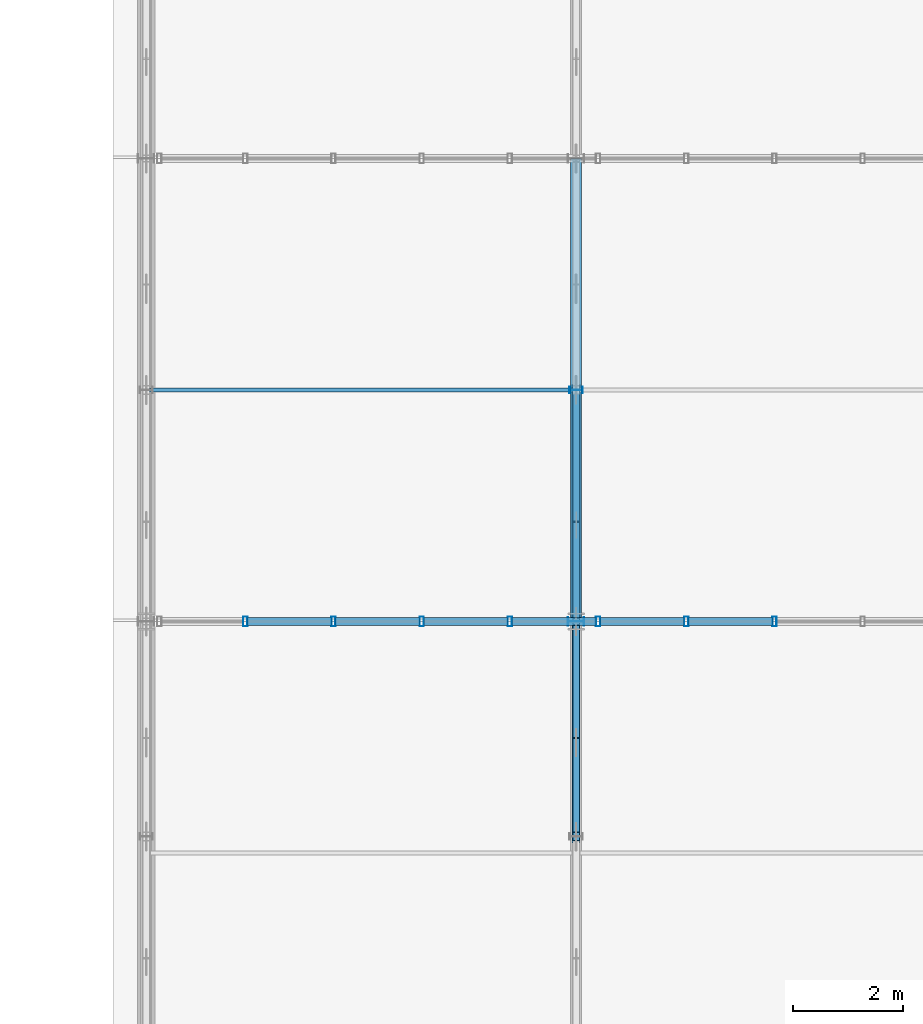
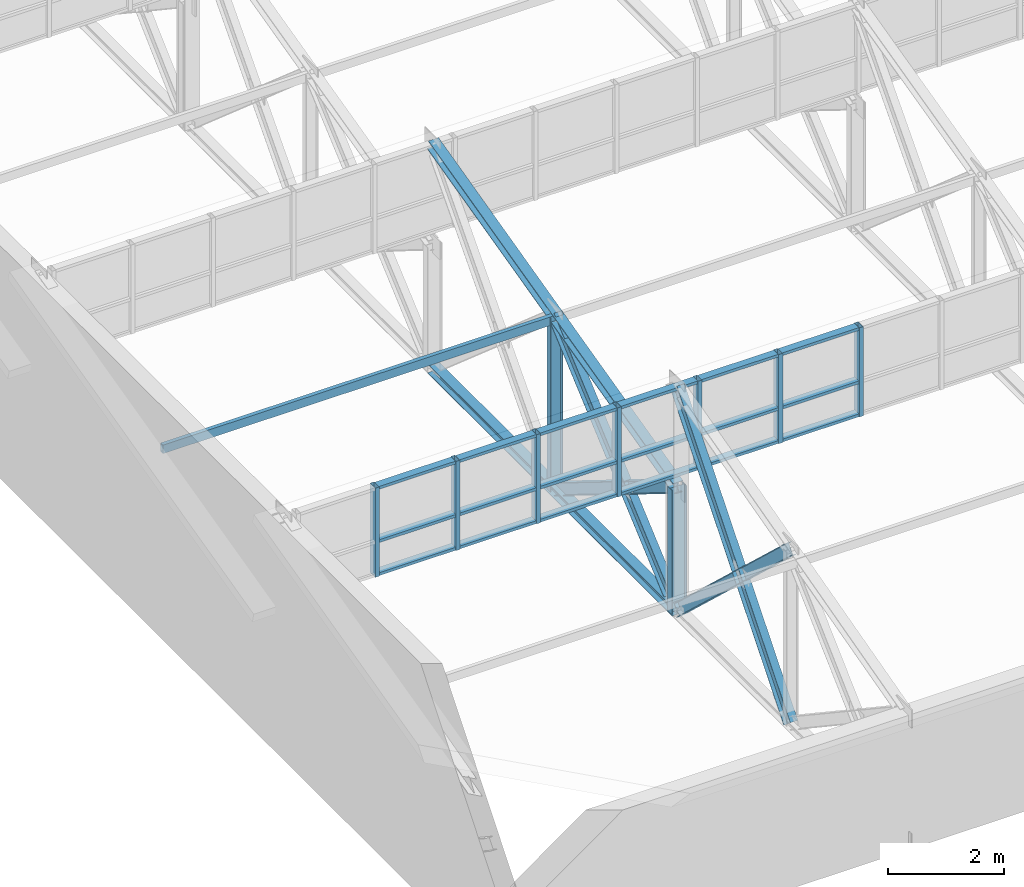
# One storey, part 68 of 123: 36 members, 1 element without a shape of its own.
"""IFC4 building model written with IfcOpenShell, lengths in metres."""

import ifcopenshell
import ifcopenshell.guid

model = None  # the IFC model being written
_history = None  # IfcOwnerHistory: only IFC2X3 demands one
_inside = {}  # id of a spatial element -> (the spatial element, [elements in it])
_under = {}  # id of a project, library or spatial element -> (it, [spatial elements below it])
_declared = {}  # id of a project -> (the project, [libraries it declares])
_typed = {}  # id of a type object -> (the type object, [elements of that type])
_made_of = {}  # id of a material, layer set ... -> (it, [elements and type objects made of it])


def new_model(schema):
    """Start an empty IFC model of exactly this schema.

    Asked for "IFC4X3", IfcOpenShell would pick the latest addendum, in which some entities
    have other attributes; the version numbers below select the first issue.
    IFC2X3 requires an IfcOwnerHistory on every rooted entity: one is made here for all.
    """
    global model, _history
    if schema == "IFC4X3":
        model = ifcopenshell.file(schema_version=(4, 3, 0, 0))
    else:
        model = ifcopenshell.file(schema=schema)
    _inside.clear()
    _under.clear()
    _declared.clear()
    _typed.clear()
    _made_of.clear()
    _history = None
    if model.schema == "IFC2X3":
        org = make("IfcOrganization", Name="unknown")
        user = make(
            "IfcPersonAndOrganization",
            ThePerson=make("IfcPerson", FamilyName="unknown"),
            TheOrganization=org,
        )
        app = make(
            "IfcApplication",
            ApplicationDeveloper=org,
            Version="unknown",
            ApplicationFullName="unknown",
            ApplicationIdentifier="unknown",
        )
        _history = make(
            "IfcOwnerHistory",
            OwningUser=user,
            OwningApplication=app,
            ChangeAction="ADDED",
            CreationDate=0,
        )
    return model


def make(cls, **values):
    """One entity of the class cls with the attributes given. An attribute that is None is left unset."""
    return model.create_entity(
        cls, **{name: value for name, value in values.items() if value is not None}
    )


def rooted(cls, **values):
    """An entity with a GlobalId (a new one), such as an element, a storey or a relation."""
    return make(cls, GlobalId=ifcopenshell.guid.new(), OwnerHistory=_history, **values)


def si_unit(unit_type, name, prefix=None):
    """IfcSIUnit, for example si_unit("LENGTHUNIT", "METRE", prefix="MILLI")."""
    return make("IfcSIUnit", UnitType=unit_type, Prefix=prefix, Name=name)


def assignment(units):
    """IfcUnitAssignment: the units of a project."""
    return None if units is None else make("IfcUnitAssignment", Units=units)


def point(xyz):
    """IfcCartesianPoint."""
    return None if xyz is None else make("IfcCartesianPoint", Coordinates=xyz)


def direction(xyz):
    """IfcDirection."""
    return None if xyz is None else make("IfcDirection", DirectionRatios=xyz)


def frame(location, z_axis=None, x_axis=None):
    """IfcAxis2Placement3D, a coordinate frame: its origin and axes. An axis left out is left unset."""
    return make(
        "IfcAxis2Placement3D",
        Location=point(location),
        Axis=direction(z_axis),
        RefDirection=direction(x_axis),
    )


def frame_2d(location, x_axis=None):
    """IfcAxis2Placement2D, a coordinate frame in the plane: its origin and x axis."""
    return make(
        "IfcAxis2Placement2D", Location=point(location), RefDirection=direction(x_axis)
    )


def origin():
    """The frame at (0, 0, 0) with its axes left unset."""
    return frame((0.0, 0.0, 0.0))


def origin_2d():
    """The frame at (0, 0) in the plane with its x axis left unset."""
    return frame_2d((0.0, 0.0))


def place(relative_to, where):
    """IfcLocalPlacement: puts the frame where relative to a parent placement (None: the world)."""
    return make(
        "IfcLocalPlacement", PlacementRelTo=relative_to, RelativePlacement=where
    )


def context(
    kind, dimensions, precision=None, world=None, true_north=None, identifier=None
):
    """IfcGeometricRepresentationContext, for example the 3D "Model" context."""
    return make(
        "IfcGeometricRepresentationContext",
        ContextIdentifier=identifier,
        ContextType=kind,
        CoordinateSpaceDimension=dimensions,
        Precision=precision,
        WorldCoordinateSystem=world,
        TrueNorth=true_north,
    )


def subcontext(parent, identifier, kind, view, scale=None):
    """IfcGeometricRepresentationSubContext, for example "Body" below "Model"."""
    return make(
        "IfcGeometricRepresentationSubContext",
        ContextIdentifier=identifier,
        ContextType=kind,
        ParentContext=parent,
        TargetScale=scale,
        TargetView=view,
    )


def project(units=None, contexts=None):
    """IfcProject with its units and contexts."""
    return rooted(
        "IfcProject",
        Name="project",
        RepresentationContexts=contexts,
        UnitsInContext=assignment(units),
    )


def spatial(cls, under=None, at=None, **own):
    """A site, building, storey or space (cls), placed at a placement, below another one or the project."""
    s = rooted(cls, ObjectPlacement=at, **own)
    if under is not None:
        _under.setdefault(under.id(), (under, []))[1].append(s)
    return s


def profile(cls, at=None, kind="AREA", **sizes):
    """A parametric profile (cls). Its sizes go by their IFC names, for example OverallWidth=200.0."""
    return make(cls, ProfileType=kind, Position=at, **sizes)


def hollow_rectangle(**sizes):
    """IfcRectangleHollowProfileDef."""
    return profile("IfcRectangleHollowProfileDef", **sizes)


def i_section(**sizes):
    """IfcIShapeProfileDef."""
    return profile("IfcIShapeProfileDef", **sizes)


def extrude(swept, where, along, depth):
    """IfcExtrudedAreaSolid: the profile swept, set in the frame where, extruded along a direction by depth."""
    return make(
        "IfcExtrudedAreaSolid",
        SweptArea=swept,
        Position=where,
        ExtrudedDirection=direction(along),
        Depth=depth,
    )


def shape(context_of_items, identifier, shape_type, items):
    """IfcShapeRepresentation: the items that make up one representation, for example the "Body"."""
    return make(
        "IfcShapeRepresentation",
        ContextOfItems=context_of_items,
        RepresentationIdentifier=identifier,
        RepresentationType=shape_type,
        Items=items,
    )


def material(Name=None, Category=None):
    """IfcMaterial."""
    return make("IfcMaterial", Name=Name, Category=Category)


def layer(
    of_material, thickness, ventilated=None, Name=None, Category=None, Priority=None
):
    """IfcMaterialLayer: one layer of a wall or slab, of a material (None: an air gap)."""
    return make(
        "IfcMaterialLayer",
        Material=of_material,
        LayerThickness=thickness,
        IsVentilated=ventilated,
        Name=Name,
        Category=Category,
        Priority=Priority,
    )


def layer_set(layers, Name=None):
    """IfcMaterialLayerSet."""
    return make("IfcMaterialLayerSet", MaterialLayers=layers, LayerSetName=Name)


def material_profile(
    of_material, cross_section, Name=None, Category=None, Priority=None
):
    """IfcMaterialProfile: a cross section and its material."""
    return make(
        "IfcMaterialProfile",
        Name=Name,
        Material=of_material,
        Profile=cross_section,
        Priority=Priority,
        Category=Category,
    )


def profile_set(profiles, Name=None, composite=None):
    """IfcMaterialProfileSet."""
    return make(
        "IfcMaterialProfileSet",
        Name=Name,
        MaterialProfiles=profiles,
        CompositeProfile=composite,
    )


def made_of(thing, what):
    """Note that an element or type object is made of a material, layer set ...; save() writes the relation."""
    if what is not None:
        _made_of.setdefault(what.id(), (what, []))[1].append(thing)
    return thing


def type_object(cls, material=None, **own):
    """A type object (cls), such as IfcWallType, which elements share."""
    return made_of(rooted(cls, **own), material)


def element(
    cls,
    number,
    at=None,
    inside=None,
    cuts=None,
    type_object=None,
    material=None,
    context=None,
    identifier="Body",
    shape_type=None,
    held_by="IfcProductDefinitionShape",
    body=None,
    shapes=None,
    **own,
):
    """One element of the class cls, such as IfcWall. Its Tag is "e" and its number.

    at: its placement. inside: the storey or other place that contains it. cuts: it is an
    opening in that element (IfcRelVoidsElement). A single representation is given by context,
    identifier, shape_type and body (its items); several are given by shapes. held_by: the class
    of the entity that holds the representations. save() writes the other relations.
    """
    e = rooted(cls, Tag="e%d" % number, ObjectPlacement=at, **own)
    if body is not None:
        shapes = [shape(context, identifier, shape_type, body)]
    if shapes is not None:
        e.Representation = make(held_by, Representations=shapes)
    if inside is not None:
        _inside.setdefault(inside.id(), (inside, []))[1].append(e)
    if cuts is not None:
        rooted(
            "IfcRelVoidsElement", RelatingBuildingElement=cuts, RelatedOpeningElement=e
        )
    if type_object is not None:
        _typed.setdefault(type_object.id(), (type_object, []))[1].append(e)
    return made_of(e, material)


def aggregate(whole, parts):
    """IfcRelAggregates: a whole, such as a stair, and the parts it consists of."""
    return rooted("IfcRelAggregates", RelatingObject=whole, RelatedObjects=parts)


def save(model, path):
    """Write the relations noted so far, then the file.

    IfcRelAggregates (storeys below a building ...), IfcRelContainedInSpatialStructure (elements
    in a storey), IfcRelDefinesByType, IfcRelAssociatesMaterial and IfcRelDeclares: one each for
    every whole, place, type object, material and project.
    """
    for whole, parts in _under.values():
        aggregate(whole, parts)
    for where, things in _inside.values():
        rooted(
            "IfcRelContainedInSpatialStructure",
            RelatedElements=things,
            RelatingStructure=where,
        )
    for kind, things in _typed.values():
        rooted("IfcRelDefinesByType", RelatedObjects=things, RelatingType=kind)
    for what, things in _made_of.values():
        rooted("IfcRelAssociatesMaterial", RelatedObjects=things, RelatingMaterial=what)
    for by, libraries in _declared.values():
        rooted("IfcRelDeclares", RelatingContext=by, RelatedDefinitions=libraries)
    model.write(path)


model = new_model("IFC4")

# Units and contexts
model_context = context("Model", 3, precision=1e-05, world=origin(), true_north=direction((0.0, 1.0)))
body_context = subcontext(model_context, "Body", "Model", "MODEL_VIEW")
ifc_project = project(units=[si_unit("LENGTHUNIT", "METRE"), si_unit("AREAUNIT", "SQUARE_METRE"), si_unit("VOLUMEUNIT", "CUBIC_METRE"), si_unit("PLANEANGLEUNIT", "RADIAN"), si_unit("MASSUNIT", "GRAM", prefix="KILO")], contexts=[model_context])

# Site, building, storey
site_placement = place(None, origin())
site = spatial("IfcSite", under=ifc_project, at=site_placement, CompositionType="ELEMENT")
building_placement = place(site_placement, origin())
building = spatial("IfcBuilding", under=site, at=building_placement, Name="Zayran Congress Hotel", CompositionType="ELEMENT")
storey_placement = place(building_placement, frame((0.0, 0.0, 15.0)))
storey = spatial("IfcBuildingStorey", under=building, at=storey_placement, Name="L03", CompositionType="ELEMENT", Elevation=15.0)

# Members
ifc_material_1 = material(Name="Steel S355", Category="steel")
ifc_material_profile_1 = material_profile(ifc_material_1, i_section(OverallWidth=0.199951171875, OverallDepth=0.199951171875, WebThickness=0.009033203125, FlangeThickness=0.014892578125, at=origin_2d()), Name="HEB 200")
ifc_profile_set_1 = profile_set([ifc_material_profile_1], Name="Steel S355")
member_type_1 = type_object("IfcMemberType", Name="TP-TR-CH2", PredefinedType="CHORD", material=ifc_profile_set_1)
member_1_placement = place(storey_placement, frame((159.60009765625, 17.199951171875, 0.0), z_axis=(0.0, 1.0, 0.0), x_axis=(-1.0, 0.0, 0.0)))
element("IfcMember", 1, at=member_1_placement, inside=storey, type_object=member_type_1, Name="Sawtooth Truss Bottom Chord 690", PredefinedType="CHORD", context=body_context, shape_type="SweptSolid", body=[
    extrude(i_section(OverallWidth=0.199951171875, OverallDepth=0.199951171875, WebThickness=0.009033203125, FlangeThickness=0.014892578125, at=origin_2d()), origin(), (0.0, 0.0, 1.0), 8.400146484375),
])
member_2_placement = place(storey_placement, frame((159.60009765625, 17.199951171875, 2.60009765625), z_axis=(0.0, 0.970299887237, 0.241905206287), x_axis=(-1.0, 0.0, 0.0)))
element("IfcMember", 2, at=member_2_placement, inside=storey, type_object=member_type_1, Name="Sawtooth Truss Top Chord 691", PredefinedType="CHORD", context=body_context, shape_type="SweptSolid", body=[
    extrude(i_section(OverallWidth=0.199951171875, OverallDepth=0.199951171875, WebThickness=0.009033203125, FlangeThickness=0.014892578125, at=origin_2d()), origin(), (0.0, 0.0, 1.0), 8.6572265625),
])
ifc_material_profile_2 = material_profile(ifc_material_1, i_section(OverallWidth=0.14990234375, OverallDepth=0.300048828125, WebThickness=0.007080078125, FlangeThickness=0.0107421875, at=origin_2d()), Name="IPE 300")
ifc_profile_set_2 = profile_set([ifc_material_profile_2], Name="Steel S355")
member_type_2 = type_object("IfcMemberType", Name="TP-TR-BR1", PredefinedType="BRACE", material=ifc_profile_set_2)
member_3_placement = place(storey_placement, frame((159.60009765625, 13.300048828125, 0.0), z_axis=(0.0, 0.639018966279, 0.769190978065), x_axis=(-1.0, 0.0, 0.0)))
element("IfcMember", 3, at=member_3_placement, inside=storey, type_object=member_type_2, Name="Sawtooth Truss Diagonal Bay2 130", PredefinedType="BRACE", context=body_context, shape_type="SweptSolid", body=[
    extrude(i_section(OverallWidth=0.14990234375, OverallDepth=0.300048828125, WebThickness=0.007080078125, FlangeThickness=0.0107421875, at=origin_2d()), origin(), (0.0, 0.0, 1.0), 6.10302734375),
])
member_4_placement = place(storey_placement, frame((159.60009765625, 17.199951171875, 0.0), z_axis=(0.0, 0.755042838954, 0.655675461904), x_axis=(-1.0, 0.0, 0.0)))
element("IfcMember", 4, at=member_4_placement, inside=storey, type_object=member_type_2, Name="Sawtooth Truss Diagonal 692", PredefinedType="BRACE", context=body_context, shape_type="SweptSolid", body=[
    extrude(i_section(OverallWidth=0.14990234375, OverallDepth=0.300048828125, WebThickness=0.007080078125, FlangeThickness=0.0107421875, at=origin_2d()), origin(), (0.0, 0.0, 1.0), 5.5625),
])
member_5_placement = place(storey_placement, frame((159.60009765625, 17.199951171875, 0.0), z_axis=(0.0, 0.0, 1.0), x_axis=(0.0, 1.0, 0.0)))
element("IfcMember", 5, at=member_5_placement, inside=storey, type_object=member_type_2, Name="TRV-01 Sawtooth Truss Strut", PredefinedType="BRACE", context=body_context, shape_type="SweptSolid", body=[
    extrude(i_section(OverallWidth=0.14990234375, OverallDepth=0.300048828125, WebThickness=0.007080078125, FlangeThickness=0.0107421875, at=origin_2d()), origin(), (0.0, 0.0, 1.0), 2.60009765625),
])
ifc_material_profile_3 = material_profile(ifc_material_1, i_section(OverallWidth=0.1201171875, OverallDepth=0.239990234375, WebThickness=0.006103515625, FlangeThickness=0.009765625, at=origin_2d()), Name="IPE 240")
ifc_profile_set_3 = profile_set([ifc_material_profile_3], Name="Steel S355")
member_type_3 = type_object("IfcMemberType", Name="TP-TR-BR2", PredefinedType="BRACE", material=ifc_profile_set_3)
member_6_placement = place(storey_placement, frame((159.60009765625, 13.300048828125, 3.647216796875), z_axis=(0.0, 0.730340857111, -0.683082888407), x_axis=(-1.0, 0.0, 0.0)))
element("IfcMember", 6, at=member_6_placement, inside=storey, type_object=member_type_3, Name="Sawtooth Truss Counter Diagonal Bay2 Upper 131", PredefinedType="BRACE", context=body_context, shape_type="SweptSolid", body=[
    extrude(i_section(OverallWidth=0.1201171875, OverallDepth=0.239990234375, WebThickness=0.006103515625, FlangeThickness=0.009765625, at=origin_2d()), origin(), (0.0, 0.0, 1.0), 2.319580078125),
])
member_7_placement = place(storey_placement, frame((159.60009765625, 15.01611328125, 2.042236328125), z_axis=(0.0, 0.7303896686, -0.683030696237), x_axis=(-1.0, 0.0, 0.0)))
element("IfcMember", 7, at=member_7_placement, inside=storey, type_object=member_type_3, Name="Sawtooth Truss Counter Diagonal Bay2 Lower 132", PredefinedType="BRACE", context=body_context, shape_type="SweptSolid", body=[
    extrude(i_section(OverallWidth=0.1201171875, OverallDepth=0.239990234375, WebThickness=0.006103515625, FlangeThickness=0.009765625, at=origin_2d()), origin(), (0.0, 0.0, 1.0), 2.989990234375),
])
member_8_placement = place(storey_placement, frame((159.60009765625, 17.199951171875, 2.60009765625), z_axis=(0.0, 0.85027534384, -0.526338141938), x_axis=(-1.0, 0.0, 0.0)))
element("IfcMember", 8, at=member_8_placement, inside=storey, type_object=member_type_3, Name="Sawtooth Truss Counter Diagonal Upper 693", PredefinedType="BRACE", context=body_context, shape_type="SweptSolid", body=[
    extrude(i_section(OverallWidth=0.1201171875, OverallDepth=0.239990234375, WebThickness=0.006103515625, FlangeThickness=0.009765625, at=origin_2d()), origin(), (0.0, 0.0, 1.0), 2.041015625),
])
member_9_placement = place(storey_placement, frame((159.60009765625, 18.960693359375, 1.510009765625), z_axis=(0.0, 0.850261519338, -0.526360474137), x_axis=(-1.0, 0.0, 0.0)))
element("IfcMember", 9, at=member_9_placement, inside=storey, type_object=member_type_3, Name="Sawtooth Truss Counter Diagonal Lower 133", PredefinedType="BRACE", context=body_context, shape_type="SweptSolid", body=[
    extrude(i_section(OverallWidth=0.1201171875, OverallDepth=0.239990234375, WebThickness=0.006103515625, FlangeThickness=0.009765625, at=origin_2d()), origin(), (0.0, 0.0, 1.0), 2.868896484375),
])
member_10_placement = place(storey_placement, frame((159.60009765625, 21.39990234375, 0.0), z_axis=(0.0, 0.0, 1.0), x_axis=(0.0, 1.0, 0.0)))
element("IfcMember", 10, at=member_10_placement, inside=storey, type_object=member_type_3, Name="TRV-01 Sawtooth Truss Strut", PredefinedType="BRACE", context=body_context, shape_type="SweptSolid", body=[
    extrude(i_section(OverallWidth=0.1201171875, OverallDepth=0.239990234375, WebThickness=0.006103515625, FlangeThickness=0.009765625, at=origin_2d()), origin(), (0.0, 0.0, 1.0), 3.647216796875),
])
ifc_material_profile_4 = material_profile(ifc_material_1, hollow_rectangle(XDim=0.080078125, YDim=0.179931640625, WallThickness=0.0048828125, at=origin_2d()), Name="RHS 180x80x5")
ifc_profile_set_4 = profile_set([ifc_material_profile_4], Name="Steel S355")
member_type_4 = type_object("IfcMemberType", Name="TP-PR-02", PredefinedType="PURLIN", material=ifc_profile_set_4)
member_11_placement = place(storey_placement, frame((151.800048828125, 21.39990234375, 3.572265625), z_axis=(1.0, 0.0, 0.0), x_axis=(0.0, 1.0, 0.0)))
element("IfcMember", 11, at=member_11_placement, inside=storey, type_object=member_type_4, Name="MEM-PR-V3-0205", PredefinedType="PURLIN", context=body_context, shape_type="SweptSolid", body=[
    extrude(hollow_rectangle(XDim=0.080078125, YDim=0.179931640625, WallThickness=0.0048828125, at=origin_2d()), origin(), (0.0, 0.0, 1.0), 7.800048828125),
])

# Curtain wall, members
ifc_material_2 = material(Name="Anodised aluminium and low-E insulated glass", Category="aluminium")
ifc_layer = layer(ifc_material_2, 0.179931640625)
ifc_layer_set = layer_set([ifc_layer], Name="Anodised aluminium and low-E insulated glass")
curtain_wall_type = type_object("IfcCurtainWallType", Name="CW-V3SAW-L03-CW-V31-32000-1870", PredefinedType="USERDEFINED", material=ifc_layer_set)
curtain_wall_placement = place(storey_placement, origin())
curtain_wall = element("IfcCurtainWall", 12, at=curtain_wall_placement, inside=storey, type_object=curtain_wall_type, Name="CW-V3SAW-1", ObjectType="CURTAIN WALL", PredefinedType="USERDEFINED")
ifc_material_3 = material(Name="Anodised aluminium framing", Category="aluminium")
ifc_material_profile_5 = material_profile(ifc_material_3, hollow_rectangle(XDim=0.080078125, YDim=0.179931640625, WallThickness=0.0048828125, at=origin_2d()), Name="RHS 180x80x5")
ifc_profile_set_5 = profile_set([ifc_material_profile_5], Name="Anodised aluminium framing")
member_type_5 = type_object("IfcMemberType", Name="TP-CWM-01", PredefinedType="MULLION", material=ifc_profile_set_5)
member_12_placement = place(storey_placement, frame((163.199951171875, 17.199951171875, 2.85009765625), z_axis=(0.0, 0.0, 1.0), x_axis=(1.0, 0.0, 0.0)))
member_12 = element("IfcMember", 13, at=member_12_placement, type_object=member_type_5, Name="CW-V3SAW-1-M13", PredefinedType="MULLION", context=body_context, shape_type="SweptSolid", body=[
    extrude(hollow_rectangle(XDim=0.080078125, YDim=0.179931640625, WallThickness=0.0048828125, at=origin_2d()), origin(), (0.0, 0.0, 1.0), 1.869873046875),
])
member_13_placement = place(storey_placement, frame((161.60009765625, 17.199951171875, 2.85009765625), z_axis=(0.0, 0.0, 1.0), x_axis=(1.0, 0.0, 0.0)))
member_13 = element("IfcMember", 14, at=member_13_placement, type_object=member_type_5, Name="CW-V3SAW-1-M14", PredefinedType="MULLION", context=body_context, shape_type="SweptSolid", body=[
    extrude(hollow_rectangle(XDim=0.080078125, YDim=0.179931640625, WallThickness=0.0048828125, at=origin_2d()), origin(), (0.0, 0.0, 1.0), 1.869873046875),
])
member_14_placement = place(storey_placement, frame((160.0, 17.199951171875, 2.85009765625), z_axis=(0.0, 0.0, 1.0), x_axis=(1.0, 0.0, 0.0)))
member_14 = element("IfcMember", 15, at=member_14_placement, type_object=member_type_5, Name="CW-V3SAW-1-M15", PredefinedType="MULLION", context=body_context, shape_type="SweptSolid", body=[
    extrude(hollow_rectangle(XDim=0.080078125, YDim=0.179931640625, WallThickness=0.0048828125, at=origin_2d()), origin(), (0.0, 0.0, 1.0), 1.869873046875),
])
member_15_placement = place(storey_placement, frame((158.39990234375, 17.199951171875, 2.85009765625), z_axis=(0.0, 0.0, 1.0), x_axis=(1.0, 0.0, 0.0)))
member_15 = element("IfcMember", 16, at=member_15_placement, type_object=member_type_5, Name="CW-V3SAW-1-M16", PredefinedType="MULLION", context=body_context, shape_type="SweptSolid", body=[
    extrude(hollow_rectangle(XDim=0.080078125, YDim=0.179931640625, WallThickness=0.0048828125, at=origin_2d()), origin(), (0.0, 0.0, 1.0), 1.869873046875),
])
member_16_placement = place(storey_placement, frame((156.800048828125, 17.199951171875, 2.85009765625), z_axis=(0.0, 0.0, 1.0), x_axis=(1.0, 0.0, 0.0)))
member_16 = element("IfcMember", 17, at=member_16_placement, type_object=member_type_5, Name="CW-V3SAW-1-M17", PredefinedType="MULLION", context=body_context, shape_type="SweptSolid", body=[
    extrude(hollow_rectangle(XDim=0.080078125, YDim=0.179931640625, WallThickness=0.0048828125, at=origin_2d()), origin(), (0.0, 0.0, 1.0), 1.869873046875),
])
member_17_placement = place(storey_placement, frame((155.199951171875, 17.199951171875, 2.85009765625), z_axis=(0.0, 0.0, 1.0), x_axis=(1.0, 0.0, 0.0)))
member_17 = element("IfcMember", 18, at=member_17_placement, type_object=member_type_5, Name="CW-V3SAW-1-M18", PredefinedType="MULLION", context=body_context, shape_type="SweptSolid", body=[
    extrude(hollow_rectangle(XDim=0.080078125, YDim=0.179931640625, WallThickness=0.0048828125, at=origin_2d()), origin(), (0.0, 0.0, 1.0), 1.869873046875),
])
member_18_placement = place(storey_placement, frame((153.60009765625, 17.199951171875, 2.85009765625), z_axis=(0.0, 0.0, 1.0), x_axis=(1.0, 0.0, 0.0)))
member_18 = element("IfcMember", 19, at=member_18_placement, type_object=member_type_5, Name="CW-V3SAW-1-M19", PredefinedType="MULLION", context=body_context, shape_type="SweptSolid", body=[
    extrude(hollow_rectangle(XDim=0.080078125, YDim=0.179931640625, WallThickness=0.0048828125, at=origin_2d()), origin(), (0.0, 0.0, 1.0), 1.869873046875),
])
ifc_material_profile_6 = material_profile(ifc_material_3, hollow_rectangle(XDim=0.06005859375, YDim=0.14990234375, WallThickness=0.00390625, at=origin_2d()), Name="RHS 150x60x4")
ifc_profile_set_6 = profile_set([ifc_material_profile_6], Name="Anodised aluminium framing")
member_type_6 = type_object("IfcMemberType", Name="TP-CWT-01", PredefinedType="USERDEFINED", material=ifc_profile_set_6)
member_19_placement = place(storey_placement, frame((163.159912109375, 17.199951171875, 2.8798828125), z_axis=(-1.0, 0.0, 0.0), x_axis=(0.0, 0.0, 1.0)))
member_19 = element("IfcMember", 20, at=member_19_placement, type_object=member_type_6, Name="CW-V3SAW-1-T13-0", ObjectType="TRANSOM", PredefinedType="USERDEFINED", context=body_context, shape_type="SweptSolid", body=[
    extrude(hollow_rectangle(XDim=0.06005859375, YDim=0.14990234375, WallThickness=0.00390625, at=origin_2d()), origin(), (0.0, 0.0, 1.0), 1.52001953125),
])
member_20_placement = place(storey_placement, frame((163.159912109375, 17.199951171875, 3.570068359375), z_axis=(-1.0, 0.0, 0.0), x_axis=(0.0, 0.0, 1.0)))
member_20 = element("IfcMember", 21, at=member_20_placement, type_object=member_type_6, Name="CW-V3SAW-1-T13-1", ObjectType="TRANSOM", PredefinedType="USERDEFINED", context=body_context, shape_type="SweptSolid", body=[
    extrude(hollow_rectangle(XDim=0.06005859375, YDim=0.14990234375, WallThickness=0.00390625, at=origin_2d()), origin(), (0.0, 0.0, 1.0), 1.52001953125),
])
member_21_placement = place(storey_placement, frame((163.159912109375, 17.199951171875, 4.68994140625), z_axis=(-1.0, 0.0, 0.0), x_axis=(0.0, 0.0, 1.0)))
member_21 = element("IfcMember", 22, at=member_21_placement, type_object=member_type_6, Name="CW-V3SAW-1-T13-2", ObjectType="TRANSOM", PredefinedType="USERDEFINED", context=body_context, shape_type="SweptSolid", body=[
    extrude(hollow_rectangle(XDim=0.06005859375, YDim=0.14990234375, WallThickness=0.00390625, at=origin_2d()), origin(), (0.0, 0.0, 1.0), 1.52001953125),
])
member_22_placement = place(storey_placement, frame((161.56005859375, 17.199951171875, 2.8798828125), z_axis=(-1.0, 0.0, 0.0), x_axis=(0.0, 0.0, 1.0)))
member_22 = element("IfcMember", 23, at=member_22_placement, type_object=member_type_6, Name="CW-V3SAW-1-T14-0", ObjectType="TRANSOM", PredefinedType="USERDEFINED", context=body_context, shape_type="SweptSolid", body=[
    extrude(hollow_rectangle(XDim=0.06005859375, YDim=0.14990234375, WallThickness=0.00390625, at=origin_2d()), origin(), (0.0, 0.0, 1.0), 1.52001953125),
])
member_23_placement = place(storey_placement, frame((161.56005859375, 17.199951171875, 3.570068359375), z_axis=(-1.0, 0.0, 0.0), x_axis=(0.0, 0.0, 1.0)))
member_23 = element("IfcMember", 24, at=member_23_placement, type_object=member_type_6, Name="CW-V3SAW-1-T14-1", ObjectType="TRANSOM", PredefinedType="USERDEFINED", context=body_context, shape_type="SweptSolid", body=[
    extrude(hollow_rectangle(XDim=0.06005859375, YDim=0.14990234375, WallThickness=0.00390625, at=origin_2d()), origin(), (0.0, 0.0, 1.0), 1.52001953125),
])
member_24_placement = place(storey_placement, frame((161.56005859375, 17.199951171875, 4.68994140625), z_axis=(-1.0, 0.0, 0.0), x_axis=(0.0, 0.0, 1.0)))
member_24 = element("IfcMember", 25, at=member_24_placement, type_object=member_type_6, Name="CW-V3SAW-1-T14-2", ObjectType="TRANSOM", PredefinedType="USERDEFINED", context=body_context, shape_type="SweptSolid", body=[
    extrude(hollow_rectangle(XDim=0.06005859375, YDim=0.14990234375, WallThickness=0.00390625, at=origin_2d()), origin(), (0.0, 0.0, 1.0), 1.52001953125),
])
member_25_placement = place(storey_placement, frame((159.9599609375, 17.199951171875, 2.8798828125), z_axis=(-1.0, 0.0, 0.0), x_axis=(0.0, 0.0, 1.0)))
member_25 = element("IfcMember", 26, at=member_25_placement, type_object=member_type_6, Name="CW-V3SAW-1-T15-0", ObjectType="TRANSOM", PredefinedType="USERDEFINED", context=body_context, shape_type="SweptSolid", body=[
    extrude(hollow_rectangle(XDim=0.06005859375, YDim=0.14990234375, WallThickness=0.00390625, at=origin_2d()), origin(), (0.0, 0.0, 1.0), 1.52001953125),
])
member_26_placement = place(storey_placement, frame((159.9599609375, 17.199951171875, 3.570068359375), z_axis=(-1.0, 0.0, 0.0), x_axis=(0.0, 0.0, 1.0)))
member_26 = element("IfcMember", 27, at=member_26_placement, type_object=member_type_6, Name="CW-V3SAW-1-T15-1", ObjectType="TRANSOM", PredefinedType="USERDEFINED", context=body_context, shape_type="SweptSolid", body=[
    extrude(hollow_rectangle(XDim=0.06005859375, YDim=0.14990234375, WallThickness=0.00390625, at=origin_2d()), origin(), (0.0, 0.0, 1.0), 1.52001953125),
])
member_27_placement = place(storey_placement, frame((159.9599609375, 17.199951171875, 4.68994140625), z_axis=(-1.0, 0.0, 0.0), x_axis=(0.0, 0.0, 1.0)))
member_27 = element("IfcMember", 28, at=member_27_placement, type_object=member_type_6, Name="CW-V3SAW-1-T15-2", ObjectType="TRANSOM", PredefinedType="USERDEFINED", context=body_context, shape_type="SweptSolid", body=[
    extrude(hollow_rectangle(XDim=0.06005859375, YDim=0.14990234375, WallThickness=0.00390625, at=origin_2d()), origin(), (0.0, 0.0, 1.0), 1.52001953125),
])
member_28_placement = place(storey_placement, frame((158.360107421875, 17.199951171875, 2.8798828125), z_axis=(-1.0, 0.0, 0.0), x_axis=(0.0, 0.0, 1.0)))
member_28 = element("IfcMember", 29, at=member_28_placement, type_object=member_type_6, Name="CW-V3SAW-1-T16-0", ObjectType="TRANSOM", PredefinedType="USERDEFINED", context=body_context, shape_type="SweptSolid", body=[
    extrude(hollow_rectangle(XDim=0.06005859375, YDim=0.14990234375, WallThickness=0.00390625, at=origin_2d()), origin(), (0.0, 0.0, 1.0), 1.52001953125),
])
member_29_placement = place(storey_placement, frame((158.360107421875, 17.199951171875, 3.570068359375), z_axis=(-1.0, 0.0, 0.0), x_axis=(0.0, 0.0, 1.0)))
member_29 = element("IfcMember", 30, at=member_29_placement, type_object=member_type_6, Name="CW-V3SAW-1-T16-1", ObjectType="TRANSOM", PredefinedType="USERDEFINED", context=body_context, shape_type="SweptSolid", body=[
    extrude(hollow_rectangle(XDim=0.06005859375, YDim=0.14990234375, WallThickness=0.00390625, at=origin_2d()), origin(), (0.0, 0.0, 1.0), 1.52001953125),
])
member_30_placement = place(storey_placement, frame((158.360107421875, 17.199951171875, 4.68994140625), z_axis=(-1.0, 0.0, 0.0), x_axis=(0.0, 0.0, 1.0)))
member_30 = element("IfcMember", 31, at=member_30_placement, type_object=member_type_6, Name="CW-V3SAW-1-T16-2", ObjectType="TRANSOM", PredefinedType="USERDEFINED", context=body_context, shape_type="SweptSolid", body=[
    extrude(hollow_rectangle(XDim=0.06005859375, YDim=0.14990234375, WallThickness=0.00390625, at=origin_2d()), origin(), (0.0, 0.0, 1.0), 1.52001953125),
])
member_31_placement = place(storey_placement, frame((156.760009765625, 17.199951171875, 2.8798828125), z_axis=(-1.0, 0.0, 0.0), x_axis=(0.0, 0.0, 1.0)))
member_31 = element("IfcMember", 32, at=member_31_placement, type_object=member_type_6, Name="CW-V3SAW-1-T17-0", ObjectType="TRANSOM", PredefinedType="USERDEFINED", context=body_context, shape_type="SweptSolid", body=[
    extrude(hollow_rectangle(XDim=0.06005859375, YDim=0.14990234375, WallThickness=0.00390625, at=origin_2d()), origin(), (0.0, 0.0, 1.0), 1.52001953125),
])
member_32_placement = place(storey_placement, frame((156.760009765625, 17.199951171875, 3.570068359375), z_axis=(-1.0, 0.0, 0.0), x_axis=(0.0, 0.0, 1.0)))
member_32 = element("IfcMember", 33, at=member_32_placement, type_object=member_type_6, Name="CW-V3SAW-1-T17-1", ObjectType="TRANSOM", PredefinedType="USERDEFINED", context=body_context, shape_type="SweptSolid", body=[
    extrude(hollow_rectangle(XDim=0.06005859375, YDim=0.14990234375, WallThickness=0.00390625, at=origin_2d()), origin(), (0.0, 0.0, 1.0), 1.52001953125),
])
member_33_placement = place(storey_placement, frame((156.760009765625, 17.199951171875, 4.68994140625), z_axis=(-1.0, 0.0, 0.0), x_axis=(0.0, 0.0, 1.0)))
member_33 = element("IfcMember", 34, at=member_33_placement, type_object=member_type_6, Name="CW-V3SAW-1-T17-2", ObjectType="TRANSOM", PredefinedType="USERDEFINED", context=body_context, shape_type="SweptSolid", body=[
    extrude(hollow_rectangle(XDim=0.06005859375, YDim=0.14990234375, WallThickness=0.00390625, at=origin_2d()), origin(), (0.0, 0.0, 1.0), 1.52001953125),
])
member_34_placement = place(storey_placement, frame((155.159912109375, 17.199951171875, 2.8798828125), z_axis=(-1.0, 0.0, 0.0), x_axis=(0.0, 0.0, 1.0)))
member_34 = element("IfcMember", 35, at=member_34_placement, type_object=member_type_6, Name="CW-V3SAW-1-T18-0", ObjectType="TRANSOM", PredefinedType="USERDEFINED", context=body_context, shape_type="SweptSolid", body=[
    extrude(hollow_rectangle(XDim=0.06005859375, YDim=0.14990234375, WallThickness=0.00390625, at=origin_2d()), origin(), (0.0, 0.0, 1.0), 1.52001953125),
])
member_35_placement = place(storey_placement, frame((155.159912109375, 17.199951171875, 3.570068359375), z_axis=(-1.0, 0.0, 0.0), x_axis=(0.0, 0.0, 1.0)))
member_35 = element("IfcMember", 36, at=member_35_placement, type_object=member_type_6, Name="CW-V3SAW-1-T18-1", ObjectType="TRANSOM", PredefinedType="USERDEFINED", context=body_context, shape_type="SweptSolid", body=[
    extrude(hollow_rectangle(XDim=0.06005859375, YDim=0.14990234375, WallThickness=0.00390625, at=origin_2d()), origin(), (0.0, 0.0, 1.0), 1.52001953125),
])
member_36_placement = place(storey_placement, frame((155.159912109375, 17.199951171875, 4.68994140625), z_axis=(-1.0, 0.0, 0.0), x_axis=(0.0, 0.0, 1.0)))
member_36 = element("IfcMember", 37, at=member_36_placement, type_object=member_type_6, Name="CW-V3SAW-1-T18-2", ObjectType="TRANSOM", PredefinedType="USERDEFINED", context=body_context, shape_type="SweptSolid", body=[
    extrude(hollow_rectangle(XDim=0.06005859375, YDim=0.14990234375, WallThickness=0.00390625, at=origin_2d()), origin(), (0.0, 0.0, 1.0), 1.52001953125),
])
aggregate(curtain_wall, [member_12, member_13, member_14, member_15, member_16, member_17, member_18, member_19, member_20, member_21, member_22, member_23, member_24, member_25, member_26, member_27, member_28, member_29, member_30, member_31, member_32, member_33, member_34, member_35, member_36])

save(model, "model.ifc")
